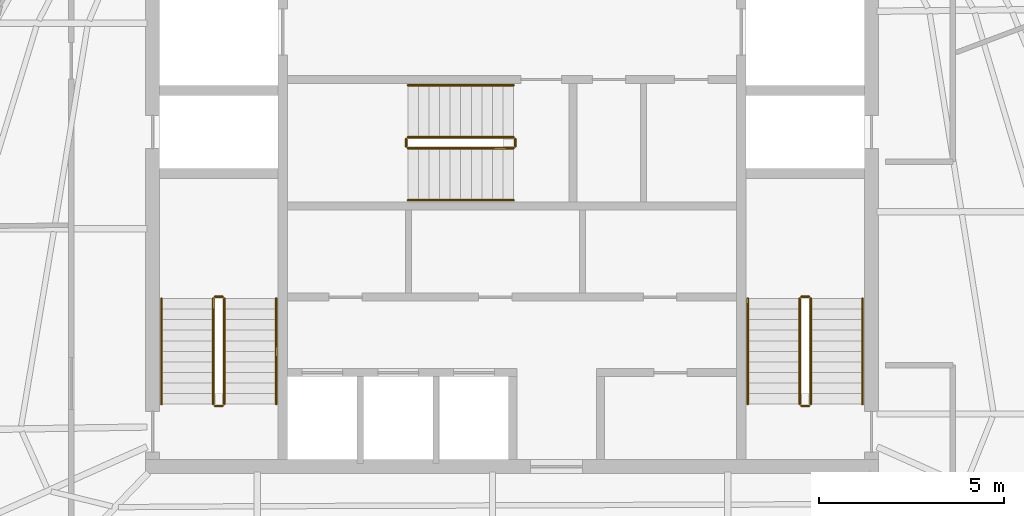
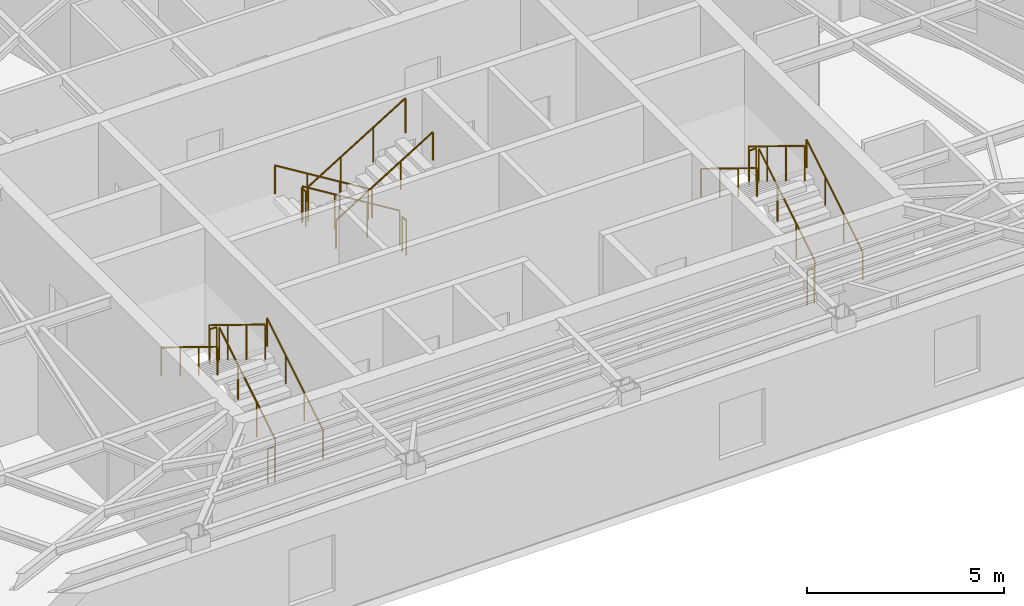
# One storey, part 10 of 10: 18 railings.
"""IFC4 building model written with IfcOpenShell, lengths in metres."""

from ifc_helpers import new_model, si_unit, direction, frame, origin, origin_2d, place, context, subcontext, project, spatial, circle, extrude, material, type_object, element, save


model = new_model("IFC4")

# Units and contexts
model_context = context("Model", 3, precision=1e-05, world=origin(), true_north=direction((0.0, 1.0)))
body_context = subcontext(model_context, "Body", "Model", "MODEL_VIEW")
ifc_project = project(units=[si_unit("LENGTHUNIT", "METRE"), si_unit("AREAUNIT", "SQUARE_METRE"), si_unit("VOLUMEUNIT", "CUBIC_METRE"), si_unit("PLANEANGLEUNIT", "RADIAN"), si_unit("MASSUNIT", "GRAM", prefix="KILO")], contexts=[model_context])

# Site, building, storey
site_placement = place(None, origin())
site = spatial("IfcSite", under=ifc_project, at=site_placement, CompositionType="ELEMENT")
building_placement = place(site_placement, origin())
building = spatial("IfcBuilding", under=site, at=building_placement, Name="Kavelnor Concourse Tower", CompositionType="ELEMENT")
storey_placement = place(building_placement, frame((0.0, 0.0, 289.550048828125)))
storey = spatial("IfcBuildingStorey", under=building, at=storey_placement, Name="L73", CompositionType="ELEMENT", Elevation=289.550048828125)

# Railings
ifc_material = material(Name="Steel Grade 350", Category="steel")
railing_type_1 = type_object("IfcRailingType", Name="RLG-GUARD-1100", PredefinedType="GUARDRAIL", material=ifc_material)
railing_1_placement = place(storey_placement, frame((30.22998046875, 11.10009765625, 0.175048828125)))
element("IfcRailing", 1, at=railing_1_placement, inside=storey, type_object=railing_type_1, Name="L73 ST1 stair guard 1", PredefinedType="GUARDRAIL", context=body_context, shape_type="SweptSolid", body=[
    extrude(circle(Radius=0.02392578125, at=origin_2d()), frame((0.0, 0.0, 1.076171875), z_axis=(0.0, 0.852159232446, 0.523282564737), x_axis=(-1.0, 0.0, 0.0)), (0.0, 0.0, 1.0), 3.34423828125),
    extrude(circle(Radius=0.02099609375, at=origin_2d()), origin(), (0.0, 0.0, 1.0), 1.052001953125),
    extrude(circle(Radius=0.02099609375, at=origin_2d()), frame((0.0, 0.949951171875, 0.583251953125)), (0.0, 0.0, 1.0), 1.052001953125),
    extrude(circle(Radius=0.02099609375, at=origin_2d()), frame((0.0, 1.89990234375, 1.166748046875)), (0.0, 0.0, 1.0), 1.052001953125),
    extrude(circle(Radius=0.02099609375, at=origin_2d()), frame((0.0, 2.849853515625, 1.75)), (0.0, 0.0, 1.0), 1.052001953125),
])
railing_2_placement = place(storey_placement, frame((30.179931640625, 14.0, 1.925048828125)))
element("IfcRailing", 2, at=railing_2_placement, inside=storey, type_object=railing_type_1, Name="L73 ST1 stair guard 2", PredefinedType="GUARDRAIL", context=body_context, shape_type="SweptSolid", body=[
    extrude(circle(Radius=0.02392578125, at=origin_2d()), frame((0.0, 0.0, 1.076171875), z_axis=(-1.0, 0.0, 0.0), x_axis=(0.0, -1.0, 0.0)), (0.0, 0.0, 1.0), 0.199951171875),
    extrude(circle(Radius=0.02099609375, at=origin_2d()), origin(), (0.0, 0.0, 1.0), 1.052001953125),
    extrude(circle(Radius=0.02099609375, at=origin_2d()), frame((-0.199951171875, 0.0, 0.0)), (0.0, 0.0, 1.0), 1.052001953125),
])
railing_3_placement = place(storey_placement, frame((29.929931640625, 13.949951171875, 2.099853515625)))
element("IfcRailing", 3, at=railing_3_placement, inside=storey, type_object=railing_type_1, Name="L73 ST1 stair guard 3", PredefinedType="GUARDRAIL", context=body_context, shape_type="SweptSolid", body=[
    extrude(circle(Radius=0.02392578125, at=origin_2d()), frame((0.0, 0.0, 1.076171875), z_axis=(0.0, -0.852159232446, 0.523282564737), x_axis=(1.0, 0.0, 0.0)), (0.0, 0.0, 1.0), 3.34423828125),
    extrude(circle(Radius=0.02099609375, at=origin_2d()), origin(), (0.0, 0.0, 1.0), 1.052001953125),
    extrude(circle(Radius=0.02099609375, at=origin_2d()), frame((0.0, -0.949951171875, 0.583251953125)), (0.0, 0.0, 1.0), 1.052001953125),
    extrude(circle(Radius=0.02099609375, at=origin_2d()), frame((0.0, -1.89990234375, 1.166748046875)), (0.0, 0.0, 1.0), 1.052001953125),
    extrude(circle(Radius=0.02099609375, at=origin_2d()), frame((0.0, -2.849853515625, 1.75)), (0.0, 0.0, 1.0), 1.052001953125),
])
railing_4_placement = place(storey_placement, frame((30.179931640625, 11.050048828125, 0.0)))
element("IfcRailing", 4, at=railing_4_placement, inside=storey, type_object=railing_type_1, Name="L73 ST1 stair guard 4", PredefinedType="GUARDRAIL", context=body_context, shape_type="SweptSolid", body=[
    extrude(circle(Radius=0.02392578125, at=origin_2d()), frame((0.0, 0.0, 1.076171875), z_axis=(-1.0, 0.0, 0.0), x_axis=(0.0, -1.0, 0.0)), (0.0, 0.0, 1.0), 0.199951171875),
    extrude(circle(Radius=0.02099609375, at=origin_2d()), origin(), (0.0, 0.0, 1.0), 1.052001953125),
    extrude(circle(Radius=0.02099609375, at=origin_2d()), frame((-0.199951171875, 0.0, 0.0)), (0.0, 0.0, 1.0), 1.052001953125),
])
railing_5_placement = place(storey_placement, frame((46.070068359375, 11.10009765625, 0.175048828125)))
element("IfcRailing", 5, at=railing_5_placement, inside=storey, type_object=railing_type_1, Name="L73 ST2 stair guard 1", PredefinedType="GUARDRAIL", context=body_context, shape_type="SweptSolid", body=[
    extrude(circle(Radius=0.02392578125, at=origin_2d()), frame((0.0, 0.0, 1.076171875), z_axis=(0.0, 0.852159232446, 0.523282564737), x_axis=(-1.0, 0.0, 0.0)), (0.0, 0.0, 1.0), 3.34423828125),
    extrude(circle(Radius=0.02099609375, at=origin_2d()), origin(), (0.0, 0.0, 1.0), 1.052001953125),
    extrude(circle(Radius=0.02099609375, at=origin_2d()), frame((0.0, 0.949951171875, 0.583251953125)), (0.0, 0.0, 1.0), 1.052001953125),
    extrude(circle(Radius=0.02099609375, at=origin_2d()), frame((0.0, 1.89990234375, 1.166748046875)), (0.0, 0.0, 1.0), 1.052001953125),
    extrude(circle(Radius=0.02099609375, at=origin_2d()), frame((0.0, 2.849853515625, 1.75)), (0.0, 0.0, 1.0), 1.052001953125),
])
railing_6_placement = place(storey_placement, frame((46.02001953125, 14.0, 1.925048828125)))
element("IfcRailing", 6, at=railing_6_placement, inside=storey, type_object=railing_type_1, Name="L73 ST2 stair guard 2", PredefinedType="GUARDRAIL", context=body_context, shape_type="SweptSolid", body=[
    extrude(circle(Radius=0.02392578125, at=origin_2d()), frame((0.0, 0.0, 1.076171875), z_axis=(-1.0, 0.0, 0.0), x_axis=(0.0, -1.0, 0.0)), (0.0, 0.0, 1.0), 0.199951171875),
    extrude(circle(Radius=0.02099609375, at=origin_2d()), origin(), (0.0, 0.0, 1.0), 1.052001953125),
    extrude(circle(Radius=0.02099609375, at=origin_2d()), frame((-0.199951171875, 0.0, 0.0)), (0.0, 0.0, 1.0), 1.052001953125),
])
railing_7_placement = place(storey_placement, frame((45.77001953125, 13.949951171875, 2.099853515625)))
element("IfcRailing", 7, at=railing_7_placement, inside=storey, type_object=railing_type_1, Name="L73 ST2 stair guard 3", PredefinedType="GUARDRAIL", context=body_context, shape_type="SweptSolid", body=[
    extrude(circle(Radius=0.02392578125, at=origin_2d()), frame((0.0, 0.0, 1.076171875), z_axis=(0.0, -0.852159232446, 0.523282564737), x_axis=(1.0, 0.0, 0.0)), (0.0, 0.0, 1.0), 3.34423828125),
    extrude(circle(Radius=0.02099609375, at=origin_2d()), origin(), (0.0, 0.0, 1.0), 1.052001953125),
    extrude(circle(Radius=0.02099609375, at=origin_2d()), frame((0.0, -0.949951171875, 0.583251953125)), (0.0, 0.0, 1.0), 1.052001953125),
    extrude(circle(Radius=0.02099609375, at=origin_2d()), frame((0.0, -1.89990234375, 1.166748046875)), (0.0, 0.0, 1.0), 1.052001953125),
    extrude(circle(Radius=0.02099609375, at=origin_2d()), frame((0.0, -2.849853515625, 1.75)), (0.0, 0.0, 1.0), 1.052001953125),
])
railing_8_placement = place(storey_placement, frame((46.02001953125, 11.050048828125, 0.0)))
element("IfcRailing", 8, at=railing_8_placement, inside=storey, type_object=railing_type_1, Name="L73 ST2 stair guard 4", PredefinedType="GUARDRAIL", context=body_context, shape_type="SweptSolid", body=[
    extrude(circle(Radius=0.02392578125, at=origin_2d()), frame((0.0, 0.0, 1.076171875), z_axis=(-1.0, 0.0, 0.0), x_axis=(0.0, -1.0, 0.0)), (0.0, 0.0, 1.0), 0.199951171875),
    extrude(circle(Radius=0.02099609375, at=origin_2d()), origin(), (0.0, 0.0, 1.0), 1.052001953125),
    extrude(circle(Radius=0.02099609375, at=origin_2d()), frame((-0.199951171875, 0.0, 0.0)), (0.0, 0.0, 1.0), 1.052001953125),
])
railing_9_placement = place(storey_placement, frame((38.0400390625, 18.31005859375, 0.175048828125)))
element("IfcRailing", 9, at=railing_9_placement, inside=storey, type_object=railing_type_1, Name="L73 ST3 stair guard 1", PredefinedType="GUARDRAIL", context=body_context, shape_type="SweptSolid", body=[
    extrude(circle(Radius=0.02392578125, at=origin_2d()), frame((0.0, 0.0, 1.076171875), z_axis=(-0.852179220489, 0.0, 0.52325001306), x_axis=(0.0, -1.0, 0.0)), (0.0, 0.0, 1.0), 3.344482421875),
    extrude(circle(Radius=0.02099609375, at=origin_2d()), origin(), (0.0, 0.0, 1.0), 1.052001953125),
    extrude(circle(Radius=0.02099609375, at=origin_2d()), frame((-0.949951171875, 0.0, 0.583251953125)), (0.0, 0.0, 1.0), 1.052001953125),
    extrude(circle(Radius=0.02099609375, at=origin_2d()), frame((-1.900146484375, 0.0, 1.166748046875)), (0.0, 0.0, 1.0), 1.052001953125),
    extrude(circle(Radius=0.02099609375, at=origin_2d()), frame((-2.85009765625, 0.0, 1.75)), (0.0, 0.0, 1.0), 1.052001953125),
])
railing_10_placement = place(storey_placement, frame((35.139892578125, 18.260009765625, 1.925048828125)))
element("IfcRailing", 10, at=railing_10_placement, inside=storey, type_object=railing_type_1, Name="L73 ST3 stair guard 2", PredefinedType="GUARDRAIL", context=body_context, shape_type="SweptSolid", body=[
    extrude(circle(Radius=0.02392578125, at=origin_2d()), frame((0.0, 0.0, 1.076171875), z_axis=(0.0, -1.0, 0.0), x_axis=(1.0, 0.0, 0.0)), (0.0, 0.0, 1.0), 0.199951171875),
    extrude(circle(Radius=0.02099609375, at=origin_2d()), origin(), (0.0, 0.0, 1.0), 1.052001953125),
    extrude(circle(Radius=0.02099609375, at=origin_2d()), frame((0.0, -0.199951171875, 0.0)), (0.0, 0.0, 1.0), 1.052001953125),
])
railing_11_placement = place(storey_placement, frame((35.18994140625, 18.010009765625, 2.099853515625)))
element("IfcRailing", 11, at=railing_11_placement, inside=storey, type_object=railing_type_1, Name="L73 ST3 stair guard 3", PredefinedType="GUARDRAIL", context=body_context, shape_type="SweptSolid", body=[
    extrude(circle(Radius=0.02392578125, at=origin_2d()), frame((0.0, 0.0, 1.076171875), z_axis=(0.852179220489, 0.0, 0.52325001306), x_axis=(0.0, 1.0, 0.0)), (0.0, 0.0, 1.0), 3.344482421875),
    extrude(circle(Radius=0.02099609375, at=origin_2d()), origin(), (0.0, 0.0, 1.0), 1.052001953125),
    extrude(circle(Radius=0.02099609375, at=origin_2d()), frame((0.949951171875, 0.0, 0.583251953125)), (0.0, 0.0, 1.0), 1.052001953125),
    extrude(circle(Radius=0.02099609375, at=origin_2d()), frame((1.900146484375, 0.0, 1.166748046875)), (0.0, 0.0, 1.0), 1.052001953125),
    extrude(circle(Radius=0.02099609375, at=origin_2d()), frame((2.85009765625, 0.0, 1.75)), (0.0, 0.0, 1.0), 1.052001953125),
])
railing_12_placement = place(storey_placement, frame((38.090087890625, 18.260009765625, 0.0)))
element("IfcRailing", 12, at=railing_12_placement, inside=storey, type_object=railing_type_1, Name="L73 ST3 stair guard 4", PredefinedType="GUARDRAIL", context=body_context, shape_type="SweptSolid", body=[
    extrude(circle(Radius=0.02392578125, at=origin_2d()), frame((0.0, 0.0, 1.076171875), z_axis=(0.0, -1.0, 0.0), x_axis=(1.0, 0.0, 0.0)), (0.0, 0.0, 1.0), 0.199951171875),
    extrude(circle(Radius=0.02099609375, at=origin_2d()), origin(), (0.0, 0.0, 1.0), 1.052001953125),
    extrude(circle(Radius=0.02099609375, at=origin_2d()), frame((0.0, -0.199951171875, 0.0)), (0.0, 0.0, 1.0), 1.052001953125),
])
railing_type_2 = type_object("IfcRailingType", Name="RLG-HANDRAIL-900", PredefinedType="HANDRAIL", material=ifc_material)
railing_13_placement = place(storey_placement, frame((31.6298828125, 11.10009765625, 0.175048828125)))
element("IfcRailing", 13, at=railing_13_placement, inside=storey, type_object=railing_type_2, Name="L73 ST1 stair handrail 1", PredefinedType="HANDRAIL", context=body_context, shape_type="SweptSolid", body=[
    extrude(circle(Radius=0.02392578125, at=origin_2d()), frame((0.0, 0.0, 0.8759765625), z_axis=(0.0, 0.852159232446, 0.523282564737), x_axis=(-1.0, 0.0, 0.0)), (0.0, 0.0, 1.0), 3.34423828125),
    extrude(circle(Radius=0.02099609375, at=origin_2d()), origin(), (0.0, 0.0, 1.0), 0.851806640625),
    extrude(circle(Radius=0.02099609375, at=origin_2d()), frame((0.0, 0.949951171875, 0.583251953125)), (0.0, 0.0, 1.0), 0.851806640625),
    extrude(circle(Radius=0.02099609375, at=origin_2d()), frame((0.0, 1.89990234375, 1.166748046875)), (0.0, 0.0, 1.0), 0.851806640625),
    extrude(circle(Radius=0.02099609375, at=origin_2d()), frame((0.0, 2.849853515625, 1.75)), (0.0, 0.0, 1.0), 0.851806640625),
])
railing_14_placement = place(storey_placement, frame((28.530029296875, 13.949951171875, 2.099853515625)))
element("IfcRailing", 14, at=railing_14_placement, inside=storey, type_object=railing_type_2, Name="L73 ST1 stair handrail 2", PredefinedType="HANDRAIL", context=body_context, shape_type="SweptSolid", body=[
    extrude(circle(Radius=0.02392578125, at=origin_2d()), frame((0.0, 0.0, 0.8759765625), z_axis=(0.0, -0.852159232446, 0.523282564737), x_axis=(1.0, 0.0, 0.0)), (0.0, 0.0, 1.0), 3.34423828125),
    extrude(circle(Radius=0.02099609375, at=origin_2d()), origin(), (0.0, 0.0, 1.0), 0.851806640625),
    extrude(circle(Radius=0.02099609375, at=origin_2d()), frame((0.0, -0.949951171875, 0.583251953125)), (0.0, 0.0, 1.0), 0.851806640625),
    extrude(circle(Radius=0.02099609375, at=origin_2d()), frame((0.0, -1.89990234375, 1.166748046875)), (0.0, 0.0, 1.0), 0.851806640625),
    extrude(circle(Radius=0.02099609375, at=origin_2d()), frame((0.0, -2.849853515625, 1.75)), (0.0, 0.0, 1.0), 0.851806640625),
])
railing_15_placement = place(storey_placement, frame((47.469970703125, 11.10009765625, 0.175048828125)))
element("IfcRailing", 15, at=railing_15_placement, inside=storey, type_object=railing_type_2, Name="L73 ST2 stair handrail 1", PredefinedType="HANDRAIL", context=body_context, shape_type="SweptSolid", body=[
    extrude(circle(Radius=0.02392578125, at=origin_2d()), frame((0.0, 0.0, 0.8759765625), z_axis=(0.0, 0.852159232446, 0.523282564737), x_axis=(-1.0, 0.0, 0.0)), (0.0, 0.0, 1.0), 3.34423828125),
    extrude(circle(Radius=0.02099609375, at=origin_2d()), origin(), (0.0, 0.0, 1.0), 0.851806640625),
    extrude(circle(Radius=0.02099609375, at=origin_2d()), frame((0.0, 0.949951171875, 0.583251953125)), (0.0, 0.0, 1.0), 0.851806640625),
    extrude(circle(Radius=0.02099609375, at=origin_2d()), frame((0.0, 1.89990234375, 1.166748046875)), (0.0, 0.0, 1.0), 0.851806640625),
    extrude(circle(Radius=0.02099609375, at=origin_2d()), frame((0.0, 2.849853515625, 1.75)), (0.0, 0.0, 1.0), 0.851806640625),
])
railing_16_placement = place(storey_placement, frame((44.3701171875, 13.949951171875, 2.099853515625)))
element("IfcRailing", 16, at=railing_16_placement, inside=storey, type_object=railing_type_2, Name="L73 ST2 stair handrail 2", PredefinedType="HANDRAIL", context=body_context, shape_type="SweptSolid", body=[
    extrude(circle(Radius=0.02392578125, at=origin_2d()), frame((0.0, 0.0, 0.8759765625), z_axis=(0.0, -0.852159232446, 0.523282564737), x_axis=(1.0, 0.0, 0.0)), (0.0, 0.0, 1.0), 3.34423828125),
    extrude(circle(Radius=0.02099609375, at=origin_2d()), origin(), (0.0, 0.0, 1.0), 0.851806640625),
    extrude(circle(Radius=0.02099609375, at=origin_2d()), frame((0.0, -0.949951171875, 0.583251953125)), (0.0, 0.0, 1.0), 0.851806640625),
    extrude(circle(Radius=0.02099609375, at=origin_2d()), frame((0.0, -1.89990234375, 1.166748046875)), (0.0, 0.0, 1.0), 0.851806640625),
    extrude(circle(Radius=0.02099609375, at=origin_2d()), frame((0.0, -2.849853515625, 1.75)), (0.0, 0.0, 1.0), 0.851806640625),
])
railing_17_placement = place(storey_placement, frame((38.0400390625, 19.7099609375, 0.175048828125)))
element("IfcRailing", 17, at=railing_17_placement, inside=storey, type_object=railing_type_2, Name="L73 ST3 stair handrail 1", PredefinedType="HANDRAIL", context=body_context, shape_type="SweptSolid", body=[
    extrude(circle(Radius=0.02392578125, at=origin_2d()), frame((0.0, 0.0, 0.8759765625), z_axis=(-0.852179220489, 0.0, 0.52325001306), x_axis=(0.0, -1.0, 0.0)), (0.0, 0.0, 1.0), 3.344482421875),
    extrude(circle(Radius=0.02099609375, at=origin_2d()), origin(), (0.0, 0.0, 1.0), 0.851806640625),
    extrude(circle(Radius=0.02099609375, at=origin_2d()), frame((-0.949951171875, 0.0, 0.583251953125)), (0.0, 0.0, 1.0), 0.851806640625),
    extrude(circle(Radius=0.02099609375, at=origin_2d()), frame((-1.900146484375, 0.0, 1.166748046875)), (0.0, 0.0, 1.0), 0.851806640625),
    extrude(circle(Radius=0.02099609375, at=origin_2d()), frame((-2.85009765625, 0.0, 1.75)), (0.0, 0.0, 1.0), 0.851806640625),
])
railing_18_placement = place(storey_placement, frame((35.18994140625, 16.610107421875, 2.099853515625)))
element("IfcRailing", 18, at=railing_18_placement, inside=storey, type_object=railing_type_2, Name="L73 ST3 stair handrail 2", PredefinedType="HANDRAIL", context=body_context, shape_type="SweptSolid", body=[
    extrude(circle(Radius=0.02392578125, at=origin_2d()), frame((0.0, 0.0, 0.8759765625), z_axis=(0.852179220489, 0.0, 0.52325001306), x_axis=(0.0, 1.0, 0.0)), (0.0, 0.0, 1.0), 3.344482421875),
    extrude(circle(Radius=0.02099609375, at=origin_2d()), origin(), (0.0, 0.0, 1.0), 0.851806640625),
    extrude(circle(Radius=0.02099609375, at=origin_2d()), frame((0.949951171875, 0.0, 0.583251953125)), (0.0, 0.0, 1.0), 0.851806640625),
    extrude(circle(Radius=0.02099609375, at=origin_2d()), frame((1.900146484375, 0.0, 1.166748046875)), (0.0, 0.0, 1.0), 0.851806640625),
    extrude(circle(Radius=0.02099609375, at=origin_2d()), frame((2.85009765625, 0.0, 1.75)), (0.0, 0.0, 1.0), 0.851806640625),
])

save(model, "model.ifc")
